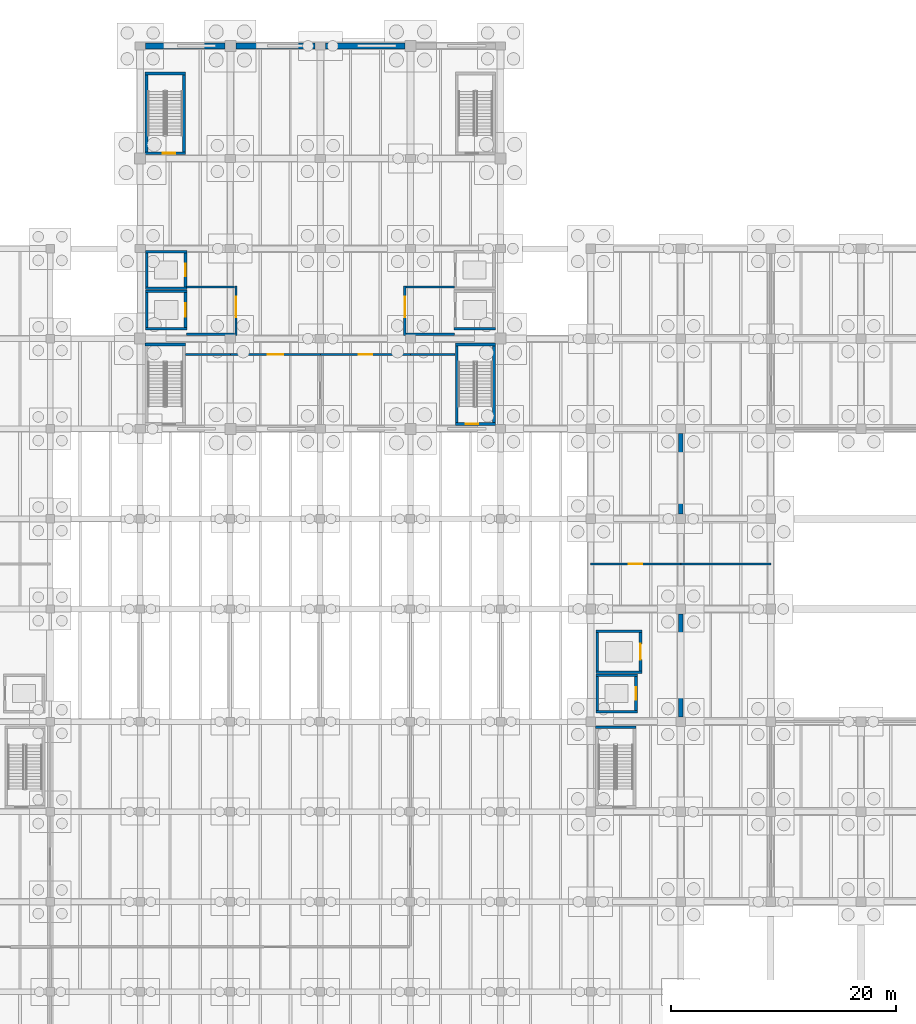
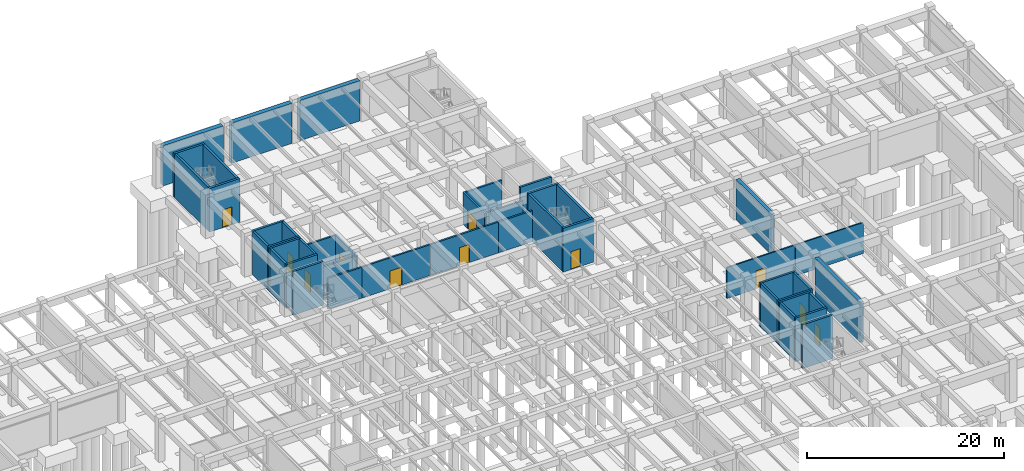
# One storey, part 27 of 44: 44 walls, 11 doors, 11 openings.
"""IFC4 building model written with IfcOpenShell, lengths in metres."""

from ifc_helpers import new_model, si_unit, direction, frame, frame_2d, origin, place, context, subcontext, project, spatial, rectangle, extrude, material, layer, layer_set, type_object, element, fill, save


model = new_model("IFC4")

# Units and contexts
model_context = context("Model", 3, precision=1e-05, world=origin(), true_north=direction((0.0, 1.0)))
body_context = subcontext(model_context, "Body", "Model", "MODEL_VIEW")
ifc_project = project(units=[si_unit("LENGTHUNIT", "METRE"), si_unit("AREAUNIT", "SQUARE_METRE"), si_unit("VOLUMEUNIT", "CUBIC_METRE"), si_unit("PLANEANGLEUNIT", "RADIAN"), si_unit("MASSUNIT", "GRAM", prefix="KILO")], contexts=[model_context])

# Site, building, storey
site_placement = place(None, origin())
site = spatial("IfcSite", under=ifc_project, at=site_placement, CompositionType="ELEMENT")
building_placement = place(site_placement, origin())
building = spatial("IfcBuilding", under=site, at=building_placement, Name="Pecanmere Concourse Central Library", CompositionType="ELEMENT")
storey_placement = place(building_placement, frame((0.0, 0.0, -5.39990234375)))
storey = spatial("IfcBuildingStorey", under=building, at=storey_placement, Name="B1", CompositionType="ELEMENT", Elevation=-5.39990234375)

# Wall, opening, door
ifc_material_1 = material(Name="Fire-rated gypsum board on acoustic steel stud", Category="steel")
ifc_layer_1 = layer(ifc_material_1, 0.159912109375, Name="IW_PART_160")
ifc_layer_set_1 = layer_set([ifc_layer_1], Name="Fire-rated gypsum board on acoustic steel stud")
wall_type_1 = type_object("IfcWallType", Name="IW_PART_160", PredefinedType="PARTITIONING", material=ifc_layer_set_1)
wall_1_placement = place(storey_placement, frame((112.0, 78.0, 0.0), z_axis=(0.0, 0.0, 1.0), x_axis=(1.0, 0.0, 0.0)))
wall_1 = element("IfcWall", 1, at=wall_1_placement, inside=storey, type_object=wall_type_1, Name="Interior Partition B1-0006", PredefinedType="PARTITIONING", context=body_context, shape_type="SweptSolid", body=[
    extrude(rectangle(XDim=8.0, YDim=0.159912109375, at=frame_2d((4.0, 0.0))), origin(), (0.0, 0.0, 1.0), 3.829833984375),
])
opening_1_placement = place(wall_1_placement, frame((3.39990234375, 0.0, 0.0)))
opening_1 = element("IfcOpeningElement", 2, at=opening_1_placement, cuts=wall_1, Name="Opening FD-04", PredefinedType="OPENING", context=body_context, shape_type="SweptSolid", body=[
    extrude(rectangle(XDim=1.199951171875, YDim=2.25, at=frame_2d((0.60009765625, 1.125))), frame((0.0, 0.091796875, 0.0), z_axis=(0.0, -1.0, 0.0), x_axis=(1.0, 0.0, 0.0)), (0.0, 0.0, 1.0), 0.183837890625),
])
ifc_material_2 = material(Name="Painted architectural steel ASTM A36", Category="steel")
door_type_1 = type_object("IfcDoorType", Name="FD-04", OperationType="SINGLE_SWING_LEFT", PredefinedType="DOOR", material=ifc_material_2)
door_1_placement = place(opening_1_placement, origin())
door_1 = element("IfcDoor", 3, at=door_1_placement, inside=storey, type_object=door_type_1, Name="D-128", OperationType="SINGLE_SWING_LEFT", OverallHeight=2.25, OverallWidth=1.199951171875, PredefinedType="DOOR", context=body_context, shape_type="SweptSolid", body=[
    extrude(rectangle(XDim=1.199951171875, YDim=2.25, at=frame_2d((0.60009765625, 1.125))), frame((0.0, 0.02490234375, 0.0), z_axis=(0.0, -1.0, 0.0), x_axis=(1.0, 0.0, 0.0)), (0.0, 0.0, 1.0), 0.050048828125),
])
fill(opening_1, door_1)

# Walls
wall_2_placement = place(storey_placement, frame((120.02001953125, 78.0, 0.0), z_axis=(0.0, 0.0, 1.0), x_axis=(1.0, 0.0, 0.0)))
element("IfcWall", 4, at=wall_2_placement, inside=storey, type_object=wall_type_1, Name="Interior Partition B1-0007", PredefinedType="PARTITIONING", context=body_context, shape_type="SweptSolid", body=[
    extrude(rectangle(XDim=7.97998046875, YDim=0.159912109375, at=frame_2d((3.989990234375, 0.0))), origin(), (0.0, 0.0, 1.0), 3.829833984375),
])
ifc_material_3 = material(Name="Fire-rated gypsum board on acoustic steel stud", Category="steel")
ifc_layer_2 = layer(ifc_material_3, 0.199951171875, Name="IW_PART_200")
ifc_layer_set_2 = layer_set([ifc_layer_2], Name="Fire-rated gypsum board on acoustic steel stud")
wall_type_2 = type_object("IfcWallType", Name="IW_PART_200", PredefinedType="PARTITIONING", material=ifc_layer_set_2)
for number, where, z_axis, x_axis, name in (
    (5, (76.10009765625, 98.39990234375, 0.0), (0.0, 0.0, 1.0), (1.0, 0.0, 0.0), "Firefighting Lobby Wall W-B1-S"),
    (6, (76.10009765625, 102.60009765625, 0.0), (0.0, 0.0, 1.0), (1.0, 0.0, 0.0), "Firefighting Lobby Wall W-B1-N"),
):
    element("IfcWall", number, at=place(storey_placement, frame(where, z_axis=z_axis, x_axis=x_axis)), inside=storey, type_object=wall_type_2, Name=name, PredefinedType="PARTITIONING", context=body_context, shape_type="SweptSolid", body=[
        extrude(rectangle(XDim=4.27978515625, YDim=0.199951171875, at=frame_2d((2.139892578125, 0.0))), origin(), (0.0, 0.0, 1.0), 4.0),
    ])

# Wall, opening, door
wall_3_placement = place(storey_placement, frame((80.5, 98.300048828125, 0.0), z_axis=(0.0, 0.0, 1.0), x_axis=(0.0, 1.0, 0.0)))
wall_3 = element("IfcWall", 7, at=wall_3_placement, inside=storey, type_object=wall_type_2, Name="Firefighting Lobby Door Wall W-B1", PredefinedType="PARTITIONING", context=body_context, shape_type="SweptSolid", body=[
    extrude(rectangle(XDim=4.39990234375, YDim=0.199951171875, at=frame_2d((2.199951171875, 0.0))), origin(), (0.0, 0.0, 1.0), 4.0),
])
opening_2_placement = place(wall_3_placement, frame((1.6201171875, 0.0, 0.0)))
opening_2 = element("IfcOpeningElement", 8, at=opening_2_placement, cuts=wall_3, Name="Opening FD-03", PredefinedType="OPENING", context=body_context, shape_type="SweptSolid", body=[
    extrude(rectangle(XDim=1.800048828125, YDim=2.25, at=frame_2d((0.89990234375, 1.125))), frame((0.0, 0.11181640625, 0.0), z_axis=(0.0, -1.0, 0.0), x_axis=(1.0, 0.0, 0.0)), (0.0, 0.0, 1.0), 0.223876953125),
])
ifc_material_4 = material(Name="Painted architectural steel ASTM A36", Category="steel")
door_type_2 = type_object("IfcDoorType", Name="FD-03", OperationType="DOUBLE_DOOR_SINGLE_SWING", PredefinedType="DOOR", material=ifc_material_4)
door_2_placement = place(opening_2_placement, origin())
door_2 = element("IfcDoor", 9, at=door_2_placement, inside=storey, type_object=door_type_2, Name="D-109", OperationType="DOUBLE_DOOR_SINGLE_SWING", OverallHeight=2.25, OverallWidth=1.800048828125, PredefinedType="DOOR", context=body_context, shape_type="SweptSolid", body=[
    extrude(rectangle(XDim=1.800048828125, YDim=2.25, at=frame_2d((0.89990234375, 1.125))), frame((0.0, 0.02490234375, 0.0), z_axis=(0.0, -1.0, 0.0), x_axis=(1.0, 0.0, 0.0)), (0.0, 0.0, 1.0), 0.050048828125),
])
fill(opening_2, door_2)

# Walls
for number, where, z_axis, x_axis, name in (
    (10, (95.6201171875, 98.39990234375, 0.0), (0.0, 0.0, 1.0), (1.0, 0.0, 0.0), "Firefighting Lobby Wall E-B1-S"),
    (11, (95.6201171875, 102.60009765625, 0.0), (0.0, 0.0, 1.0), (1.0, 0.0, 0.0), "Firefighting Lobby Wall E-B1-N"),
):
    element("IfcWall", number, at=place(storey_placement, frame(where, z_axis=z_axis, x_axis=x_axis)), inside=storey, type_object=wall_type_2, Name=name, PredefinedType="PARTITIONING", context=body_context, shape_type="SweptSolid", body=[
        extrude(rectangle(XDim=4.27978515625, YDim=0.199951171875, at=frame_2d((2.139892578125, 0.0))), origin(), (0.0, 0.0, 1.0), 4.0),
    ])

# Wall, opening, door
wall_4_placement = place(storey_placement, frame((95.5, 98.300048828125, 0.0), z_axis=(0.0, 0.0, 1.0), x_axis=(0.0, 1.0, 0.0)))
wall_4 = element("IfcWall", 12, at=wall_4_placement, inside=storey, type_object=wall_type_2, Name="Firefighting Lobby Door Wall E-B1", PredefinedType="PARTITIONING", context=body_context, shape_type="SweptSolid", body=[
    extrude(rectangle(XDim=4.39990234375, YDim=0.199951171875, at=frame_2d((2.199951171875, 0.0))), origin(), (0.0, 0.0, 1.0), 4.0),
])
opening_3_placement = place(wall_4_placement, frame((1.6201171875, 0.0, 0.0)))
opening_3 = element("IfcOpeningElement", 13, at=opening_3_placement, cuts=wall_4, Name="Opening FD-03", PredefinedType="OPENING", context=body_context, shape_type="SweptSolid", body=[
    extrude(rectangle(XDim=1.800048828125, YDim=2.25, at=frame_2d((0.89990234375, 1.125))), frame((0.0, 0.11181640625, 0.0), z_axis=(0.0, -1.0, 0.0), x_axis=(1.0, 0.0, 0.0)), (0.0, 0.0, 1.0), 0.223876953125),
])
door_3_placement = place(opening_3_placement, origin())
door_3 = element("IfcDoor", 14, at=door_3_placement, inside=storey, type_object=door_type_2, Name="D-110", OperationType="DOUBLE_DOOR_SINGLE_SWING", OverallHeight=2.25, OverallWidth=1.800048828125, PredefinedType="DOOR", context=body_context, shape_type="SweptSolid", body=[
    extrude(rectangle(XDim=1.800048828125, YDim=2.25, at=frame_2d((0.89990234375, 1.125))), frame((0.0, 0.02490234375, 0.0), z_axis=(0.0, -1.0, 0.0), x_axis=(1.0, 0.0, 0.0)), (0.0, 0.0, 1.0), 0.050048828125),
])
fill(opening_3, door_3)

# Wall
wall_5_placement = place(storey_placement, frame((76.030029296875, 96.60009765625, 0.0), z_axis=(0.0, 0.0, 1.0), x_axis=(1.0, 0.0, 0.0)))
element("IfcWall", 15, at=wall_5_placement, inside=storey, type_object=wall_type_2, Name="Interior Partition B1-0001", PredefinedType="PARTITIONING", context=body_context, shape_type="SweptSolid", body=[
    extrude(rectangle(XDim=3.969970703125, YDim=0.199951171875, at=frame_2d((1.98486328125, 0.0))), origin(), (0.0, 0.0, 1.0), 3.829833984375),
])

# Wall, opening, door
wall_6_placement = place(storey_placement, frame((80.02001953125, 96.60009765625, 0.0), z_axis=(0.0, 0.0, 1.0), x_axis=(1.0, 0.0, 0.0)))
wall_6 = element("IfcWall", 16, at=wall_6_placement, inside=storey, type_object=wall_type_2, Name="Interior Partition B1-0002", PredefinedType="PARTITIONING", context=body_context, shape_type="SweptSolid", body=[
    extrude(rectangle(XDim=7.97998046875, YDim=0.199951171875, at=frame_2d((3.989990234375, 0.0))), origin(), (0.0, 0.0, 1.0), 3.829833984375),
])
opening_4_placement = place(wall_6_placement, frame((3.2900390625, 0.0, 0.0)))
opening_4 = element("IfcOpeningElement", 17, at=opening_4_placement, cuts=wall_6, Name="Opening FD-05", PredefinedType="OPENING", context=body_context, shape_type="SweptSolid", body=[
    extrude(rectangle(XDim=1.39990234375, YDim=2.199951171875, at=frame_2d((0.699951171875, 1.10009765625))), frame((0.0, 0.11181640625, 0.0), z_axis=(0.0, -1.0, 0.0), x_axis=(1.0, 0.0, 0.0)), (0.0, 0.0, 1.0), 0.223876953125),
])
ifc_material_5 = material(Name="Painted architectural steel ASTM A36", Category="steel")
door_type_3 = type_object("IfcDoorType", Name="FD-05", OperationType="DOUBLE_DOOR_SINGLE_SWING", PredefinedType="DOOR", material=ifc_material_5)
door_4_placement = place(opening_4_placement, frame((1.39990234375, 0.0, 0.0), z_axis=(0.0, 0.0, 1.0), x_axis=(-1.0, 0.0, 0.0)))
door_4 = element("IfcDoor", 18, at=door_4_placement, inside=storey, type_object=door_type_3, Name="D-125", OperationType="DOUBLE_DOOR_SINGLE_SWING", OverallHeight=2.199951171875, OverallWidth=1.39990234375, PredefinedType="DOOR", context=body_context, shape_type="SweptSolid", body=[
    extrude(rectangle(XDim=1.39990234375, YDim=2.199951171875, at=frame_2d((0.699951171875, 1.10009765625))), frame((0.0, 0.02490234375, 0.0), z_axis=(0.0, -1.0, 0.0), x_axis=(1.0, 0.0, 0.0)), (0.0, 0.0, 1.0), 0.050048828125),
])
fill(opening_4, door_4)

wall_7_placement = place(storey_placement, frame((88.02001953125, 96.60009765625, 0.0), z_axis=(0.0, 0.0, 1.0), x_axis=(1.0, 0.0, 0.0)))
wall_7 = element("IfcWall", 19, at=wall_7_placement, inside=storey, type_object=wall_type_2, Name="Interior Partition B1-0003", PredefinedType="PARTITIONING", context=body_context, shape_type="SweptSolid", body=[
    extrude(rectangle(XDim=7.97998046875, YDim=0.199951171875, at=frame_2d((3.989990234375, 0.0))), origin(), (0.0, 0.0, 1.0), 3.829833984375),
])
opening_5_placement = place(wall_7_placement, frame((3.389892578125, 0.0, 0.0)))
opening_5 = element("IfcOpeningElement", 20, at=opening_5_placement, cuts=wall_7, Name="Opening FD-04", PredefinedType="OPENING", context=body_context, shape_type="SweptSolid", body=[
    extrude(rectangle(XDim=1.199951171875, YDim=2.25, at=frame_2d((0.60009765625, 1.125))), frame((0.0, 0.11181640625, 0.0), z_axis=(0.0, -1.0, 0.0), x_axis=(1.0, 0.0, 0.0)), (0.0, 0.0, 1.0), 0.223876953125),
])
door_5_placement = place(opening_5_placement, origin())
door_5 = element("IfcDoor", 21, at=door_5_placement, inside=storey, type_object=door_type_1, Name="D-126", OperationType="SINGLE_SWING_LEFT", OverallHeight=2.25, OverallWidth=1.199951171875, PredefinedType="DOOR", context=body_context, shape_type="SweptSolid", body=[
    extrude(rectangle(XDim=1.199951171875, YDim=2.25, at=frame_2d((0.60009765625, 1.125))), frame((0.0, 0.02490234375, 0.0), z_axis=(0.0, -1.0, 0.0), x_axis=(1.0, 0.0, 0.0)), (0.0, 0.0, 1.0), 0.050048828125),
])
fill(opening_5, door_5)

# Walls
wall_8_placement = place(storey_placement, frame((96.02001953125, 96.60009765625, 0.0), z_axis=(0.0, 0.0, 1.0), x_axis=(1.0, 0.0, 0.0)))
element("IfcWall", 22, at=wall_8_placement, inside=storey, type_object=wall_type_2, Name="Interior Partition B1-0004", PredefinedType="PARTITIONING", context=body_context, shape_type="SweptSolid", body=[
    extrude(rectangle(XDim=3.949951171875, YDim=0.199951171875, at=frame_2d((1.97509765625, 0.0))), origin(), (0.0, 0.0, 1.0), 3.829833984375),
])
ifc_material_6 = material(Name="Concrete C40/50", Category="concrete")
ifc_layer_3 = layer(ifc_material_6, 0.52001953125, Name="WALL_RET_520")
ifc_layer_set_3 = layer_set([ifc_layer_3], Name="Concrete C40/50")
wall_type_3 = type_object("IfcWallType", Name="WALL_RET_520", PredefinedType="USERDEFINED", material=ifc_layer_set_3)
for number, where, z_axis, x_axis, name in (
    (23, (72.4599609375, 124.0, 0.0), (0.0, 0.0, 1.0), (1.0, 0.0, 0.0), "Basement Retaining Wall B1-023"),
    (24, (80.489990234375, 124.0, 0.0), (0.0, 0.0, 1.0), (1.0, 0.0, 0.0), "Basement Retaining Wall B1-024"),
    (25, (88.4599609375, 124.0, 0.0), (0.0, 0.0, 1.0), (1.0, 0.0, 0.0), "Basement Retaining Wall B1-025"),
):
    element("IfcWall", number, at=place(storey_placement, frame(where, z_axis=z_axis, x_axis=x_axis)), inside=storey, type_object=wall_type_3, Name=name, ObjectType="RETAININGWALL", PredefinedType="USERDEFINED", context=body_context, shape_type="SweptSolid", body=[
        extrude(rectangle(XDim=7.050048828125, YDim=0.52001953125, at=frame_2d((3.52490234375, 0.0))), origin(), (0.0, 0.0, 1.0), 4.97998046875),
    ])
ifc_material_7 = material(Name="Concrete C40/50", Category="concrete")
ifc_layer_4 = layer(ifc_material_7, 0.419921875, Name="WALL_SHR_420")
ifc_layer_set_4 = layer_set([ifc_layer_4], Name="Concrete C40/50")
wall_type_4 = type_object("IfcWallType", Name="WALL_SHR_420", PredefinedType="SHEAR", material=ifc_layer_set_4)
wall_9_placement = place(storey_placement, frame((120.0, 64.429931640625, 0.0), z_axis=(0.0, 0.0, 1.0), x_axis=(0.0, 1.0, 0.0)))
element("IfcWall", 26, at=wall_9_placement, inside=storey, type_object=wall_type_4, Name="Lateral Shear Wall B1-001", PredefinedType="SHEAR", context=body_context, shape_type="SweptSolid", body=[
    extrude(rectangle(XDim=9.14013671875, YDim=0.419921875, at=frame_2d((4.570068359375, 0.0))), origin(), (0.0, 0.0, 1.0), 4.97998046875),
])
wall_10_placement = place(storey_placement, frame((120.0, 82.429931640625, 0.0), z_axis=(0.0, 0.0, 1.0), x_axis=(0.0, 1.0, 0.0)))
element("IfcWall", 27, at=wall_10_placement, inside=storey, type_object=wall_type_4, Name="Lateral Shear Wall B1-007", PredefinedType="SHEAR", context=body_context, shape_type="SweptSolid", body=[
    extrude(rectangle(XDim=7.14013671875, YDim=0.419921875, at=frame_2d((3.570068359375, 0.0))), origin(), (0.0, 0.0, 1.0), 4.97998046875),
])
ifc_material_8 = material(Name="Concrete C40/50", Category="concrete")
ifc_layer_5 = layer(ifc_material_8, 0.239990234375, Name="WALL_SLD_240")
ifc_layer_set_5 = layer_set([ifc_layer_5], Name="Concrete C40/50")
wall_type_5 = type_object("IfcWallType", Name="WALL_SLD_240", PredefinedType="SOLIDWALL", material=ifc_layer_set_5)
for number, where, z_axis, x_axis, name in (
    (28, (72.4599609375, 98.8798828125, 0.0), (0.0, 0.0, 1.0), (1.0, 0.0, 0.0), "Hoistway Wall LF-01 B1-S"),
    (29, (72.4599609375, 102.219970703125, 0.0), (0.0, 0.0, 1.0), (1.0, 0.0, 0.0), "Hoistway Wall LF-01 B1-N"),
):
    element("IfcWall", number, at=place(storey_placement, frame(where, z_axis=z_axis, x_axis=x_axis)), inside=storey, type_object=wall_type_5, Name=name, PredefinedType="SOLIDWALL", context=body_context, shape_type="SweptSolid", body=[
        extrude(rectangle(XDim=3.679931640625, YDim=0.239990234375, at=frame_2d((1.83984375, 0.0))), origin(), (0.0, 0.0, 1.0), 5.39990234375),
    ])
wall_11_placement = place(storey_placement, frame((72.580078125, 99.0, 0.0), z_axis=(0.0, 0.0, 1.0), x_axis=(0.0, 1.0, 0.0)))
element("IfcWall", 30, at=wall_11_placement, inside=storey, type_object=wall_type_5, Name="Hoistway Wall LF-01 B1-W", PredefinedType="SOLIDWALL", context=body_context, shape_type="SweptSolid", body=[
    extrude(rectangle(XDim=3.10009765625, YDim=0.239990234375, at=frame_2d((1.550048828125, 0.0))), origin(), (0.0, 0.0, 1.0), 5.39990234375),
])

# Wall, opening, door
wall_12_placement = place(storey_placement, frame((76.02001953125, 99.0, 0.0), z_axis=(0.0, 0.0, 1.0), x_axis=(0.0, 1.0, 0.0)))
wall_12 = element("IfcWall", 31, at=wall_12_placement, inside=storey, type_object=wall_type_5, Name="Hoistway Wall LF-01 B1-E", PredefinedType="SOLIDWALL", context=body_context, shape_type="SweptSolid", body=[
    extrude(rectangle(XDim=3.10009765625, YDim=0.239990234375, at=frame_2d((1.550048828125, 0.0))), origin(), (0.0, 0.0, 1.0), 5.39990234375),
])
opening_6_placement = place(wall_12_placement, frame((0.949951171875, 0.0, 0.0)))
opening_6 = element("IfcOpeningElement", 32, at=opening_6_placement, cuts=wall_12, Name="Opening LD-02", PredefinedType="OPENING", context=body_context, shape_type="SweptSolid", body=[
    extrude(rectangle(XDim=1.199951171875, YDim=2.199951171875, at=frame_2d((0.60009765625, 1.10009765625))), frame((0.0, 0.1318359375, 0.0), z_axis=(0.0, -1.0, 0.0), x_axis=(1.0, 0.0, 0.0)), (0.0, 0.0, 1.0), 0.263916015625),
])
ifc_material_9 = material(Name="Brushed stainless steel Grade 316", Category="steel")
door_type_4 = type_object("IfcDoorType", Name="LD-02", OperationType="DOUBLE_DOOR_SLIDING", PredefinedType="DOOR", material=ifc_material_9)
door_6_placement = place(opening_6_placement, origin())
door_6 = element("IfcDoor", 33, at=door_6_placement, inside=storey, type_object=door_type_4, Name="LD-LF-01-B1", OperationType="DOUBLE_DOOR_SLIDING", OverallHeight=2.199951171875, OverallWidth=1.199951171875, PredefinedType="DOOR", context=body_context, shape_type="SweptSolid", body=[
    extrude(rectangle(XDim=1.199951171875, YDim=2.199951171875, at=frame_2d((0.60009765625, 1.10009765625))), frame((0.0, 0.02490234375, 0.0), z_axis=(0.0, -1.0, 0.0), x_axis=(1.0, 0.0, 0.0)), (0.0, 0.0, 1.0), 0.050048828125),
])
fill(opening_6, door_6)

# Walls
for number, where, z_axis, x_axis, name in (
    (34, (72.4599609375, 102.47998046875, 0.0), (0.0, 0.0, 1.0), (1.0, 0.0, 0.0), "Hoistway Wall LP-01 B1-S"),
    (35, (72.4599609375, 105.719970703125, 0.0), (0.0, 0.0, 1.0), (1.0, 0.0, 0.0), "Hoistway Wall LP-01 B1-N"),
):
    element("IfcWall", number, at=place(storey_placement, frame(where, z_axis=z_axis, x_axis=x_axis)), inside=storey, type_object=wall_type_5, Name=name, PredefinedType="SOLIDWALL", context=body_context, shape_type="SweptSolid", body=[
        extrude(rectangle(XDim=3.679931640625, YDim=0.239990234375, at=frame_2d((1.83984375, 0.0))), origin(), (0.0, 0.0, 1.0), 5.39990234375),
    ])
wall_13_placement = place(storey_placement, frame((72.580078125, 102.60009765625, 0.0), z_axis=(0.0, 0.0, 1.0), x_axis=(0.0, 1.0, 0.0)))
element("IfcWall", 36, at=wall_13_placement, inside=storey, type_object=wall_type_5, Name="Hoistway Wall LP-01 B1-W", PredefinedType="SOLIDWALL", context=body_context, shape_type="SweptSolid", body=[
    extrude(rectangle(XDim=3.0, YDim=0.239990234375, at=frame_2d((1.5, 0.0))), origin(), (0.0, 0.0, 1.0), 5.39990234375),
])

# Wall, opening, door
wall_14_placement = place(storey_placement, frame((76.02001953125, 102.60009765625, 0.0), z_axis=(0.0, 0.0, 1.0), x_axis=(0.0, 1.0, 0.0)))
wall_14 = element("IfcWall", 37, at=wall_14_placement, inside=storey, type_object=wall_type_5, Name="Hoistway Wall LP-01 B1-E", PredefinedType="SOLIDWALL", context=body_context, shape_type="SweptSolid", body=[
    extrude(rectangle(XDim=3.0, YDim=0.239990234375, at=frame_2d((1.5, 0.0))), origin(), (0.0, 0.0, 1.0), 5.39990234375),
])
opening_7_placement = place(wall_14_placement, frame((0.949951171875, 0.0, 0.0)))
opening_7 = element("IfcOpeningElement", 38, at=opening_7_placement, cuts=wall_14, Name="Opening LD-01", PredefinedType="OPENING", context=body_context, shape_type="SweptSolid", body=[
    extrude(rectangle(XDim=1.10009765625, YDim=2.199951171875, at=frame_2d((0.550048828125, 1.10009765625))), frame((0.0, 0.1318359375, 0.0), z_axis=(0.0, -1.0, 0.0), x_axis=(1.0, 0.0, 0.0)), (0.0, 0.0, 1.0), 0.263916015625),
])
ifc_material_10 = material(Name="Brushed stainless steel Grade 316", Category="steel")
door_type_5 = type_object("IfcDoorType", Name="LD-01", OperationType="DOUBLE_DOOR_SLIDING", PredefinedType="DOOR", material=ifc_material_10)
door_7_placement = place(opening_7_placement, origin())
door_7 = element("IfcDoor", 39, at=door_7_placement, inside=storey, type_object=door_type_5, Name="LD-LP-01-B1", OperationType="DOUBLE_DOOR_SLIDING", OverallHeight=2.199951171875, OverallWidth=1.10009765625, PredefinedType="DOOR", context=body_context, shape_type="SweptSolid", body=[
    extrude(rectangle(XDim=1.10009765625, YDim=2.199951171875, at=frame_2d((0.550048828125, 1.10009765625))), frame((0.0, 0.02490234375, 0.0), z_axis=(0.0, -1.0, 0.0), x_axis=(1.0, 0.0, 0.0)), (0.0, 0.0, 1.0), 0.050048828125),
])
fill(opening_7, door_7)

# Walls
for number, where, z_axis, x_axis, name in (
    (40, (99.860107421875, 98.8798828125, 0.0), (0.0, 0.0, 1.0), (1.0, 0.0, 0.0), "Hoistway Wall LF-02 B1-S"),
    (41, (112.4599609375, 64.8798828125, 0.0), (0.0, 0.0, 1.0), (1.0, 0.0, 0.0), "Hoistway Wall LP-03 B1-S"),
    (42, (112.4599609375, 68.1201171875, 0.0), (0.0, 0.0, 1.0), (1.0, 0.0, 0.0), "Hoistway Wall LP-03 B1-N"),
):
    element("IfcWall", number, at=place(storey_placement, frame(where, z_axis=z_axis, x_axis=x_axis)), inside=storey, type_object=wall_type_5, Name=name, PredefinedType="SOLIDWALL", context=body_context, shape_type="SweptSolid", body=[
        extrude(rectangle(XDim=3.679931640625, YDim=0.239990234375, at=frame_2d((1.83984375, 0.0))), origin(), (0.0, 0.0, 1.0), 5.39990234375),
    ])
wall_15_placement = place(storey_placement, frame((112.580078125, 65.0, 0.0), z_axis=(0.0, 0.0, 1.0), x_axis=(0.0, 1.0, 0.0)))
element("IfcWall", 43, at=wall_15_placement, inside=storey, type_object=wall_type_5, Name="Hoistway Wall LP-03 B1-W", PredefinedType="SOLIDWALL", context=body_context, shape_type="SweptSolid", body=[
    extrude(rectangle(XDim=3.0, YDim=0.239990234375, at=frame_2d((1.5, 0.0))), origin(), (0.0, 0.0, 1.0), 5.39990234375),
])

# Wall, opening, door
wall_16_placement = place(storey_placement, frame((116.02001953125, 65.0, 0.0), z_axis=(0.0, 0.0, 1.0), x_axis=(0.0, 1.0, 0.0)))
wall_16 = element("IfcWall", 44, at=wall_16_placement, inside=storey, type_object=wall_type_5, Name="Hoistway Wall LP-03 B1-E", PredefinedType="SOLIDWALL", context=body_context, shape_type="SweptSolid", body=[
    extrude(rectangle(XDim=3.0, YDim=0.239990234375, at=frame_2d((1.5, 0.0))), origin(), (0.0, 0.0, 1.0), 5.39990234375),
])
opening_8_placement = place(wall_16_placement, frame((0.949951171875, 0.0, 0.0)))
opening_8 = element("IfcOpeningElement", 45, at=opening_8_placement, cuts=wall_16, Name="Opening LD-01", PredefinedType="OPENING", context=body_context, shape_type="SweptSolid", body=[
    extrude(rectangle(XDim=1.10009765625, YDim=2.199951171875, at=frame_2d((0.550048828125, 1.10009765625))), frame((0.0, 0.1318359375, 0.0), z_axis=(0.0, -1.0, 0.0), x_axis=(1.0, 0.0, 0.0)), (0.0, 0.0, 1.0), 0.263916015625),
])
door_8_placement = place(opening_8_placement, origin())
door_8 = element("IfcDoor", 46, at=door_8_placement, inside=storey, type_object=door_type_5, Name="LD-LP-03-B1", OperationType="DOUBLE_DOOR_SLIDING", OverallHeight=2.199951171875, OverallWidth=1.10009765625, PredefinedType="DOOR", context=body_context, shape_type="SweptSolid", body=[
    extrude(rectangle(XDim=1.10009765625, YDim=2.199951171875, at=frame_2d((0.550048828125, 1.10009765625))), frame((0.0, 0.02490234375, 0.0), z_axis=(0.0, -1.0, 0.0), x_axis=(1.0, 0.0, 0.0)), (0.0, 0.0, 1.0), 0.050048828125),
])
fill(opening_8, door_8)

# Walls
for number, where, z_axis, x_axis, name in (
    (47, (112.4599609375, 68.3798828125, 0.0), (0.0, 0.0, 1.0), (1.0, 0.0, 0.0), "Hoistway Wall LS-01 B1-S"),
    (48, (112.4599609375, 72.02001953125, 0.0), (0.0, 0.0, 1.0), (1.0, 0.0, 0.0), "Hoistway Wall LS-01 B1-N"),
):
    element("IfcWall", number, at=place(storey_placement, frame(where, z_axis=z_axis, x_axis=x_axis)), inside=storey, type_object=wall_type_5, Name=name, PredefinedType="SOLIDWALL", context=body_context, shape_type="SweptSolid", body=[
        extrude(rectangle(XDim=4.080078125, YDim=0.239990234375, at=frame_2d((2.0400390625, 0.0))), origin(), (0.0, 0.0, 1.0), 5.39990234375),
    ])
wall_17_placement = place(storey_placement, frame((112.580078125, 68.5, 0.0), z_axis=(0.0, 0.0, 1.0), x_axis=(0.0, 1.0, 0.0)))
element("IfcWall", 49, at=wall_17_placement, inside=storey, type_object=wall_type_5, Name="Hoistway Wall LS-01 B1-W", PredefinedType="SOLIDWALL", context=body_context, shape_type="SweptSolid", body=[
    extrude(rectangle(XDim=3.39990234375, YDim=0.239990234375, at=frame_2d((1.699951171875, 0.0))), origin(), (0.0, 0.0, 1.0), 5.39990234375),
])

# Wall, opening, door
wall_18_placement = place(storey_placement, frame((116.419921875, 68.5, 0.0), z_axis=(0.0, 0.0, 1.0), x_axis=(0.0, 1.0, 0.0)))
wall_18 = element("IfcWall", 50, at=wall_18_placement, inside=storey, type_object=wall_type_5, Name="Hoistway Wall LS-01 B1-E", PredefinedType="SOLIDWALL", context=body_context, shape_type="SweptSolid", body=[
    extrude(rectangle(XDim=3.39990234375, YDim=0.239990234375, at=frame_2d((1.699951171875, 0.0))), origin(), (0.0, 0.0, 1.0), 5.39990234375),
])
opening_9_placement = place(wall_18_placement, frame((1.0, 0.0, 0.0)))
opening_9 = element("IfcOpeningElement", 51, at=opening_9_placement, cuts=wall_18, Name="Opening LD-03", PredefinedType="OPENING", context=body_context, shape_type="SweptSolid", body=[
    extrude(rectangle(XDim=1.39990234375, YDim=2.300048828125, at=frame_2d((0.699951171875, 1.14990234375))), frame((0.0, 0.1318359375, 0.0), z_axis=(0.0, -1.0, 0.0), x_axis=(1.0, 0.0, 0.0)), (0.0, 0.0, 1.0), 0.263916015625),
])
ifc_material_11 = material(Name="Brushed stainless steel Grade 316", Category="steel")
door_type_6 = type_object("IfcDoorType", Name="LD-03", OperationType="DOUBLE_DOOR_SLIDING", PredefinedType="DOOR", material=ifc_material_11)
door_9_placement = place(opening_9_placement, origin())
door_9 = element("IfcDoor", 52, at=door_9_placement, inside=storey, type_object=door_type_6, Name="LD-LS-01-B1", OperationType="DOUBLE_DOOR_SLIDING", OverallHeight=2.300048828125, OverallWidth=1.39990234375, PredefinedType="DOOR", context=body_context, shape_type="SweptSolid", body=[
    extrude(rectangle(XDim=1.39990234375, YDim=2.300048828125, at=frame_2d((0.699951171875, 1.14990234375))), frame((0.0, 0.02490234375, 0.0), z_axis=(0.0, -1.0, 0.0), x_axis=(1.0, 0.0, 0.0)), (0.0, 0.0, 1.0), 0.050048828125),
])
fill(opening_9, door_9)

# Wall
ifc_material_12 = material(Name="Concrete C40/50", Category="concrete")
ifc_layer_6 = layer(ifc_material_12, 0.260009765625, Name="WALL_SLD_260")
ifc_layer_set_6 = layer_set([ifc_layer_6], Name="Concrete C40/50")
wall_type_6 = type_object("IfcWallType", Name="WALL_SLD_260", PredefinedType="SOLIDWALL", material=ifc_layer_set_6)
wall_19_placement = place(storey_placement, frame((72.43994140625, 97.5, 0.0), z_axis=(0.0, 0.0, 1.0), x_axis=(1.0, 0.0, 0.0)))
element("IfcWall", 53, at=wall_19_placement, inside=storey, type_object=wall_type_6, Name="Core C1 North Wall B1", PredefinedType="SOLIDWALL", context=body_context, shape_type="SweptSolid", body=[
    extrude(rectangle(XDim=3.580078125, YDim=0.260009765625, at=frame_2d((1.7900390625, 0.0))), origin(), (0.0, 0.0, 1.0), 5.39990234375),
])

# Wall, opening, door
wall_20_placement = place(storey_placement, frame((99.97998046875, 90.419921875, 0.0), z_axis=(0.0, 0.0, 1.0), x_axis=(1.0, 0.0, 0.0)))
wall_20 = element("IfcWall", 54, at=wall_20_placement, inside=storey, type_object=wall_type_6, Name="Core C2 South Wall B1", PredefinedType="SOLIDWALL", context=body_context, shape_type="SweptSolid", body=[
    extrude(rectangle(XDim=3.580078125, YDim=0.260009765625, at=frame_2d((1.7900390625, 0.0))), origin(), (0.0, 0.0, 1.0), 5.39990234375),
])
opening_10_placement = place(wall_20_placement, frame((0.919921875, 0.0, 0.0)))
opening_10 = element("IfcOpeningElement", 55, at=opening_10_placement, cuts=wall_20, Name="Opening FD-01", PredefinedType="OPENING", context=body_context, shape_type="SweptSolid", body=[
    extrude(rectangle(XDim=1.10009765625, YDim=2.199951171875, at=frame_2d((0.550048828125, 1.10009765625))), frame((0.0, 0.14208984375, 0.0), z_axis=(0.0, -1.0, 0.0), x_axis=(1.0, 0.0, 0.0)), (0.0, 0.0, 1.0), 0.283935546875),
])
ifc_material_13 = material(Name="Painted architectural steel ASTM A36", Category="steel")
door_type_7 = type_object("IfcDoorType", Name="FD-01", OperationType="SINGLE_SWING_LEFT", PredefinedType="DOOR", material=ifc_material_13)
door_10_placement = place(opening_10_placement, origin())
door_10 = element("IfcDoor", 56, at=door_10_placement, inside=storey, type_object=door_type_7, Name="D-009", OperationType="SINGLE_SWING_LEFT", OverallHeight=2.199951171875, OverallWidth=1.10009765625, PredefinedType="DOOR", context=body_context, shape_type="SweptSolid", body=[
    extrude(rectangle(XDim=1.10009765625, YDim=2.199951171875, at=frame_2d((0.550048828125, 1.10009765625))), frame((0.0, 0.02490234375, 0.0), z_axis=(0.0, -1.0, 0.0), x_axis=(1.0, 0.0, 0.0)), (0.0, 0.0, 1.0), 0.050048828125),
])
fill(opening_10, door_10)

# Walls
wall_21_placement = place(storey_placement, frame((99.97998046875, 97.5, 0.0), z_axis=(0.0, 0.0, 1.0), x_axis=(1.0, 0.0, 0.0)))
element("IfcWall", 57, at=wall_21_placement, inside=storey, type_object=wall_type_6, Name="Core C2 North Wall B1", PredefinedType="SOLIDWALL", context=body_context, shape_type="SweptSolid", body=[
    extrude(rectangle(XDim=3.580078125, YDim=0.260009765625, at=frame_2d((1.7900390625, 0.0))), origin(), (0.0, 0.0, 1.0), 5.39990234375),
])
for number, where, z_axis, x_axis, name in (
    (58, (100.110107421875, 90.550048828125, 0.0), (0.0, 0.0, 1.0), (0.0, 1.0, 0.0), "Core C2 W Wall B1"),
    (59, (103.429931640625, 90.550048828125, 0.0), (0.0, 0.0, 1.0), (0.0, 1.0, 0.0), "Core C2 E Wall B1"),
):
    element("IfcWall", number, at=place(storey_placement, frame(where, z_axis=z_axis, x_axis=x_axis)), inside=storey, type_object=wall_type_6, Name=name, PredefinedType="SOLIDWALL", context=body_context, shape_type="SweptSolid", body=[
        extrude(rectangle(XDim=6.820068359375, YDim=0.260009765625, at=frame_2d((3.41015625, 0.0))), origin(), (0.0, 0.0, 1.0), 5.39990234375),
    ])

# Wall, opening, door
wall_22_placement = place(storey_placement, frame((72.43994140625, 114.469970703125, 0.0), z_axis=(0.0, 0.0, 1.0), x_axis=(1.0, 0.0, 0.0)))
wall_22 = element("IfcWall", 60, at=wall_22_placement, inside=storey, type_object=wall_type_6, Name="Core C3 South Wall B1", PredefinedType="SOLIDWALL", context=body_context, shape_type="SweptSolid", body=[
    extrude(rectangle(XDim=3.580078125, YDim=0.260009765625, at=frame_2d((1.7900390625, 0.0))), origin(), (0.0, 0.0, 1.0), 5.39990234375),
])
opening_11_placement = place(wall_22_placement, frame((1.56005859375, 0.0, 0.0)))
opening_11 = element("IfcOpeningElement", 61, at=opening_11_placement, cuts=wall_22, Name="Opening FD-02", PredefinedType="OPENING", context=body_context, shape_type="SweptSolid", body=[
    extrude(rectangle(XDim=1.10009765625, YDim=2.199951171875, at=frame_2d((0.550048828125, 1.10009765625))), frame((0.0, 0.14208984375, 0.0), z_axis=(0.0, -1.0, 0.0), x_axis=(1.0, 0.0, 0.0)), (0.0, 0.0, 1.0), 0.283935546875),
])
ifc_material_14 = material(Name="Painted architectural steel ASTM A36", Category="steel")
door_type_8 = type_object("IfcDoorType", Name="FD-02", OperationType="SINGLE_SWING_RIGHT", PredefinedType="DOOR", material=ifc_material_14)
door_11_placement = place(opening_11_placement, origin())
door_11 = element("IfcDoor", 62, at=door_11_placement, inside=storey, type_object=door_type_8, Name="D-017", OperationType="SINGLE_SWING_RIGHT", OverallHeight=2.199951171875, OverallWidth=1.10009765625, PredefinedType="DOOR", context=body_context, shape_type="SweptSolid", body=[
    extrude(rectangle(XDim=1.10009765625, YDim=2.199951171875, at=frame_2d((0.550048828125, 1.10009765625))), frame((0.0, 0.02490234375, 0.0), z_axis=(0.0, -1.0, 0.0), x_axis=(1.0, 0.0, 0.0)), (0.0, 0.0, 1.0), 0.050048828125),
])
fill(opening_11, door_11)

# Walls
wall_23_placement = place(storey_placement, frame((72.43994140625, 121.550048828125, 0.0), z_axis=(0.0, 0.0, 1.0), x_axis=(1.0, 0.0, 0.0)))
element("IfcWall", 63, at=wall_23_placement, inside=storey, type_object=wall_type_6, Name="Core C3 North Wall B1", PredefinedType="SOLIDWALL", context=body_context, shape_type="SweptSolid", body=[
    extrude(rectangle(XDim=3.580078125, YDim=0.260009765625, at=frame_2d((1.7900390625, 0.0))), origin(), (0.0, 0.0, 1.0), 5.39990234375),
])
for number, where, z_axis, x_axis, name in (
    (64, (72.570068359375, 114.60009765625, 0.0), (0.0, 0.0, 1.0), (0.0, 1.0, 0.0), "Core C3 W Wall B1"),
    (65, (75.889892578125, 114.60009765625, 0.0), (0.0, 0.0, 1.0), (0.0, 1.0, 0.0), "Core C3 E Wall B1"),
):
    element("IfcWall", number, at=place(storey_placement, frame(where, z_axis=z_axis, x_axis=x_axis)), inside=storey, type_object=wall_type_6, Name=name, PredefinedType="SOLIDWALL", context=body_context, shape_type="SweptSolid", body=[
        extrude(rectangle(XDim=6.81982421875, YDim=0.260009765625, at=frame_2d((3.409912109375, 0.0))), origin(), (0.0, 0.0, 1.0), 5.39990234375),
    ])
wall_24_placement = place(storey_placement, frame((112.43994140625, 63.5, 0.0), z_axis=(0.0, 0.0, 1.0), x_axis=(1.0, 0.0, 0.0)))
element("IfcWall", 66, at=wall_24_placement, inside=storey, type_object=wall_type_6, Name="Core C5 North Wall B1", PredefinedType="SOLIDWALL", context=body_context, shape_type="SweptSolid", body=[
    extrude(rectangle(XDim=3.580078125, YDim=0.260009765625, at=frame_2d((1.7900390625, 0.0))), origin(), (0.0, 0.0, 1.0), 5.39990234375),
])

save(model, "model.ifc")
